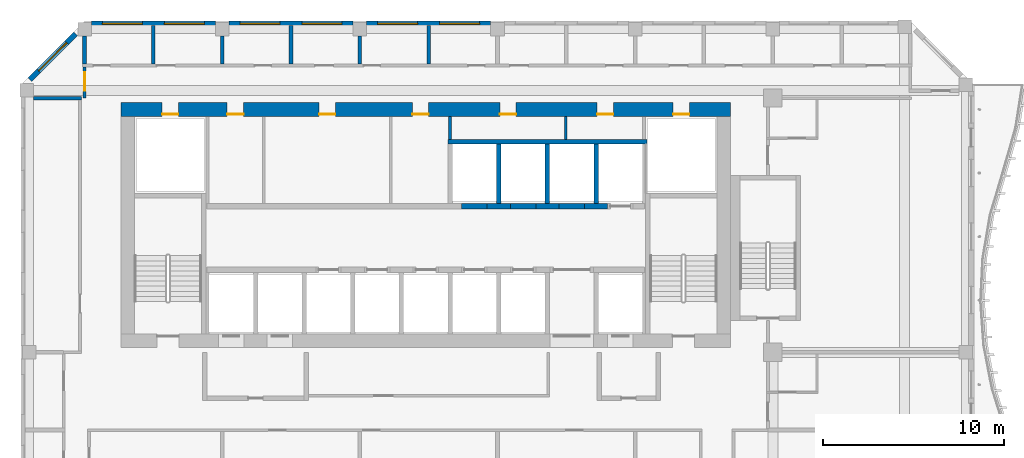
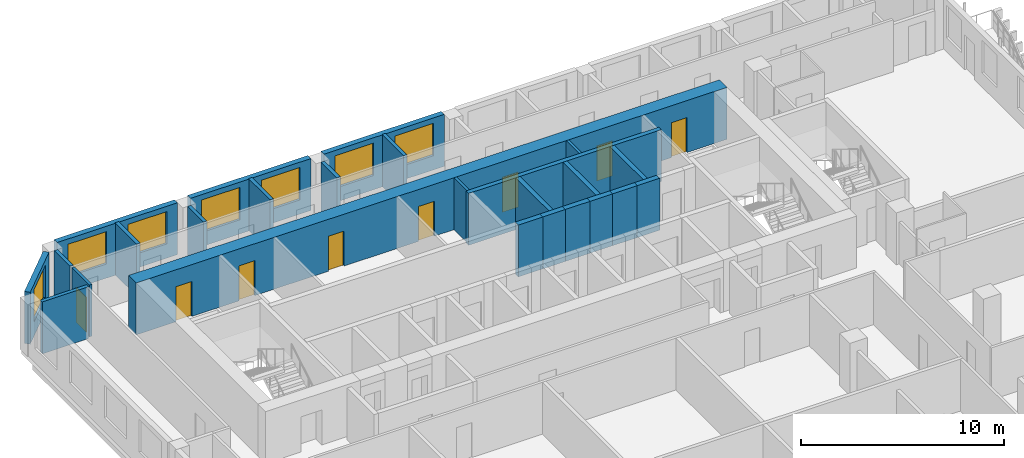
# One storey, part 8 of 22: 25 walls, 8 doors, 7 windows, 15 openings.
"""IFC4 building model written with IfcOpenShell, lengths in metres."""

from ifc_helpers import new_model, si_unit, direction, frame, frame_2d, origin, place, context, subcontext, project, spatial, rectangle, extrude, source, transform, mapped, material, layer, layer_set, type_object, element, fill, save


model = new_model("IFC4")

# Units and contexts
model_context = context("Model", 3, precision=1e-05, world=origin(), true_north=direction((0.0, 1.0)))
body_context = subcontext(model_context, "Body", "Model", "MODEL_VIEW")
ifc_project = project(units=[si_unit("LENGTHUNIT", "METRE"), si_unit("AREAUNIT", "SQUARE_METRE"), si_unit("VOLUMEUNIT", "CUBIC_METRE"), si_unit("PLANEANGLEUNIT", "RADIAN"), si_unit("MASSUNIT", "GRAM", prefix="KILO")], contexts=[model_context])

# Site, building, storey
site_placement = place(None, origin())
site = spatial("IfcSite", under=ifc_project, at=site_placement, CompositionType="ELEMENT")
building_placement = place(site_placement, origin())
building = spatial("IfcBuilding", under=site, at=building_placement, Name="Kilnfold Tower and Market Hall", CompositionType="ELEMENT")
storey_placement = place(building_placement, frame((0.0, 0.0, 206.699951171875)))
storey = spatial("IfcBuildingStorey", under=building, at=storey_placement, Name="L50", CompositionType="ELEMENT", Elevation=206.699951171875)

# Wall, opening, door
ifc_material_1 = material(Name="Gypsum board on steel studs", Category="steel")
ifc_layer_1 = layer(ifc_material_1, 0.14990234375)
ifc_layer_set_1 = layer_set([ifc_layer_1], Name="Gypsum board on steel studs")
wall_type_1 = type_object("IfcWallType", Name="WALL CORRIDOR 150", PredefinedType="PARTITIONING", material=ifc_layer_set_1)
wall_1_placement = place(storey_placement, frame((-17.75, 23.72509765625, 0.0), z_axis=(0.0, 0.0, 1.0), x_axis=(0.0, -1.0, 0.0)))
wall_1 = element("IfcWall", 1, at=wall_1_placement, inside=storey, type_object=wall_type_1, Name="Partition LY30.17", PredefinedType="PARTITIONING", context=body_context, shape_type="SweptSolid", body=[
    extrude(rectangle(XDim=1.72509765625, YDim=0.14990234375, at=frame_2d((0.862548828125, 0.0))), origin(), (0.0, 0.0, 1.0), 3.1201171875),
])
opening_1_placement = place(wall_1_placement, frame((0.30810546875, 0.0, 0.0)))
opening_1 = element("IfcOpeningElement", 2, at=opening_1_placement, cuts=wall_1, Name="Opening D4", PredefinedType="OPENING", context=body_context, shape_type="SweptSolid", body=[
    extrude(rectangle(XDim=1.0, YDim=2.10009765625, at=frame_2d((0.5, 1.050048828125))), frame((0.0, 0.0849609375, 0.0), z_axis=(0.0, -1.0, 0.0), x_axis=(1.0, 0.0, 0.0)), (0.0, 0.0, 1.0), 0.169921875),
])
ifc_material_2 = material(Name="Timber veneer door leaf in steel frame", Category="steel")
door_type_1 = type_object("IfcDoorType", Name="DOOR SERVICE 1000 X2100", OperationType="NOTDEFINED", PredefinedType="DOOR", material=ifc_material_2)
door_1_placement = place(opening_1_placement, origin())
door_1 = element("IfcDoor", 3, at=door_1_placement, inside=storey, type_object=door_type_1, Name="Door D4", OperationType="SINGLE_SWING_RIGHT", OverallHeight=2.10009765625, OverallWidth=1.0, PredefinedType="DOOR", context=body_context, shape_type="SweptSolid", body=[
    extrude(rectangle(XDim=1.0, YDim=2.10009765625, at=frame_2d((0.5, 1.050048828125))), frame((0.0, 0.02490234375, 0.0), z_axis=(0.0, -1.0, 0.0), x_axis=(1.0, 0.0, 0.0)), (0.0, 0.0, 1.0), 0.050048828125),
])
fill(opening_1, door_1)

# Walls
ifc_material_3 = material(Name="Gypsum board on steel studs", Category="steel")
ifc_layer_2 = layer(ifc_material_3, 0.199951171875)
ifc_layer_set_2 = layer_set([ifc_layer_2], Name="Gypsum board on steel studs")
wall_type_2 = type_object("IfcWallType", Name="WALL PARTY 200", PredefinedType="PARTITIONING", material=ifc_layer_set_2)
wall_2_placement = place(storey_placement, frame((-17.927001953125, 22.0, 0.0), z_axis=(0.0, 0.0, 1.0), x_axis=(-1.0, 0.0, 0.0)))
element("IfcWall", 4, at=wall_2_placement, inside=storey, type_object=wall_type_2, Name="Partition LY30.82", PredefinedType="PARTITIONING", context=body_context, shape_type="SweptSolid", body=[
    extrude(rectangle(XDim=2.6298828125, YDim=0.199951171875, at=frame_2d((1.31494140625, 0.0))), origin(), (0.0, 0.0, 1.0), 3.1201171875),
])
wall_3_placement = place(storey_placement, frame((-17.75, 23.876953125, 0.0), z_axis=(0.0, 0.0, 1.0), x_axis=(0.0, 1.0, 0.0)))
element("IfcWall", 5, at=wall_3_placement, inside=storey, type_object=wall_type_2, Name="Partition LY30.88", PredefinedType="PARTITIONING", context=body_context, shape_type="SweptSolid", body=[
    extrude(rectangle(XDim=1.548095703125, YDim=0.199951171875, at=frame_2d((0.77392578125, 0.0))), origin(), (0.0, 0.0, 1.0), 3.1201171875),
])
wall_4_placement = place(storey_placement, frame((-13.958984375, 23.876953125, 0.0), z_axis=(0.0, 0.0, 1.0), x_axis=(0.0, 1.0, 0.0)))
element("IfcWall", 6, at=wall_4_placement, inside=storey, type_object=wall_type_2, Name="Partition LY30.99", PredefinedType="PARTITIONING", context=body_context, shape_type="SweptSolid", body=[
    extrude(rectangle(XDim=2.123046875, YDim=0.199951171875, at=frame_2d((1.0615234375, 0.0))), origin(), (0.0, 0.0, 1.0), 3.1201171875),
])
wall_5_placement = place(storey_placement, frame((-10.1669921875, 23.876953125, 0.0), z_axis=(0.0, 0.0, 1.0), x_axis=(0.0, 1.0, 0.0)))
element("IfcWall", 7, at=wall_5_placement, inside=storey, type_object=wall_type_2, Name="Partition LY30.100", PredefinedType="PARTITIONING", context=body_context, shape_type="SweptSolid", body=[
    extrude(rectangle(XDim=1.548095703125, YDim=0.199951171875, at=frame_2d((0.77392578125, 0.0))), origin(), (0.0, 0.0, 1.0), 3.1201171875),
])
wall_6_placement = place(storey_placement, frame((-6.375, 23.876953125, 0.0), z_axis=(0.0, 0.0, 1.0), x_axis=(0.0, 1.0, 0.0)))
element("IfcWall", 8, at=wall_6_placement, inside=storey, type_object=wall_type_2, Name="Partition LY30.101", PredefinedType="PARTITIONING", context=body_context, shape_type="SweptSolid", body=[
    extrude(rectangle(XDim=2.123046875, YDim=0.199951171875, at=frame_2d((1.0615234375, 0.0))), origin(), (0.0, 0.0, 1.0), 3.1201171875),
])
wall_7_placement = place(storey_placement, frame((-2.5830078125, 23.876953125, 0.0), z_axis=(0.0, 0.0, 1.0), x_axis=(0.0, 1.0, 0.0)))
element("IfcWall", 9, at=wall_7_placement, inside=storey, type_object=wall_type_2, Name="Partition LY30.102", PredefinedType="PARTITIONING", context=body_context, shape_type="SweptSolid", body=[
    extrude(rectangle(XDim=1.548095703125, YDim=0.199951171875, at=frame_2d((0.77392578125, 0.0))), origin(), (0.0, 0.0, 1.0), 3.1201171875),
])
wall_8_placement = place(storey_placement, frame((1.2080078125, 23.876953125, 0.0), z_axis=(0.0, 0.0, 1.0), x_axis=(0.0, 1.0, 0.0)))
element("IfcWall", 10, at=wall_8_placement, inside=storey, type_object=wall_type_2, Name="Partition LY30.103", PredefinedType="PARTITIONING", context=body_context, shape_type="SweptSolid", body=[
    extrude(rectangle(XDim=2.123046875, YDim=0.199951171875, at=frame_2d((1.0615234375, 0.0))), origin(), (0.0, 0.0, 1.0), 3.1201171875),
])
ifc_material_4 = material(Name="Concrete C60", Category="concrete")
ifc_layer_3 = layer(ifc_material_4, 0.300048828125)
ifc_layer_set_3 = layer_set([ifc_layer_3], Name="Concrete C60")
wall_type_3 = type_object("IfcWallType", Name="CORE WALL 300 C60", PredefinedType="SHEAR", material=ifc_layer_set_3)
shared_shape_1 = source(origin(), body_context, "Body", "SweptSolid", [
    extrude(rectangle(XDim=1.280029296875, YDim=0.300048828125, at=frame_2d((0.64013671875, 0.0))), origin(), (0.0, 0.0, 1.0), 3.1201171875),
])
for number, where, z_axis, x_axis, name in (
    (11, (4.429931640625, 16.050048828125, 0.0), (0.0, 0.0, 1.0), (1.0, 0.0, 0.0), "Core spine wall"),
    (12, (9.7900390625, 16.050048828125, 0.0), (0.0, 0.0, 1.0), (1.0, 0.0, 0.0), "Core spine wall"),
):
    element("IfcWall", number, at=place(storey_placement, frame(where, z_axis=z_axis, x_axis=x_axis)), inside=storey, type_object=wall_type_3, Name=name, PredefinedType="SHEAR", context=body_context, shape_type="MappedRepresentation", body=[
        mapped(shared_shape_1, transform((0.0, 0.0, 0.0))),
    ])
shared_shape_2 = source(origin(), body_context, "Body", "SweptSolid", [
    extrude(rectangle(XDim=1.27978515625, YDim=0.300048828125, at=frame_2d((0.639892578125, 0.0))), origin(), (0.0, 0.0, 1.0), 3.1201171875),
])
wall_9_placement = place(storey_placement, frame((7.110107421875, 16.050048828125, 0.0), z_axis=(0.0, 0.0, 1.0), x_axis=(1.0, 0.0, 0.0)))
element("IfcWall", 13, at=wall_9_placement, inside=storey, type_object=wall_type_3, Name="Core spine wall", PredefinedType="SHEAR", context=body_context, shape_type="MappedRepresentation", body=[
    mapped(shared_shape_2, transform((0.0, 0.0, 0.0))),
])

# Wall, openings, doors
ifc_material_5 = material(Name="Concrete C60", Category="concrete")
ifc_layer_4 = layer(ifc_material_5, 0.75)
ifc_layer_set_4 = layer_set([ifc_layer_4], Name="Concrete C60")
wall_type_4 = type_object("IfcWallType", Name="CORE WALL 750 C60", PredefinedType="SHEAR", material=ifc_layer_set_4)
shared_shape_3 = source(origin(), body_context, "Body", "SweptSolid", [
    extrude(rectangle(XDim=33.60009765625, YDim=0.75, at=frame_2d((16.800048828125, 0.0))), origin(), (0.0, 0.0, 1.0), 3.1201171875),
])
wall_10_placement = place(storey_placement, frame((-15.75, 21.375, 0.0), z_axis=(0.0, 0.0, 1.0), x_axis=(1.0, 0.0, 0.0)))
wall_10 = element("IfcWall", 14, at=wall_10_placement, inside=storey, type_object=wall_type_4, Name="Core outer wall north", PredefinedType="SHEAR", context=body_context, shape_type="MappedRepresentation", body=[
    mapped(shared_shape_3, transform((0.0, 0.0, 0.0))),
])
opening_2_placement = place(wall_10_placement, frame((5.85791015625, 0.0, 0.0)))
opening_2 = element("IfcOpeningElement", 15, at=opening_2_placement, cuts=wall_10, Name="Opening KD1", PredefinedType="OPENING", context=body_context, shape_type="SweptSolid", body=[
    extrude(rectangle(XDim=0.89990234375, YDim=2.10009765625, at=frame_2d((0.449951171875, 1.050048828125))), frame((0.0, 0.385009765625, 0.0), z_axis=(0.0, -1.0, 0.0), x_axis=(1.0, 0.0, 0.0)), (0.0, 0.0, 1.0), 0.77001953125),
])
opening_3_placement = place(wall_10_placement, frame((10.923095703125, 0.0, 0.0)))
opening_3 = element("IfcOpeningElement", 16, at=opening_3_placement, cuts=wall_10, Name="Opening KD1", PredefinedType="OPENING", context=body_context, shape_type="SweptSolid", body=[
    extrude(rectangle(XDim=0.89990234375, YDim=2.10009765625, at=frame_2d((0.449951171875, 1.050048828125))), frame((0.0, 0.385009765625, 0.0), z_axis=(0.0, -1.0, 0.0), x_axis=(1.0, 0.0, 0.0)), (0.0, 0.0, 1.0), 0.77001953125),
])
opening_4_placement = place(wall_10_placement, frame((16.05517578125, 0.0, 0.0)))
opening_4 = element("IfcOpeningElement", 17, at=opening_4_placement, cuts=wall_10, Name="Opening KD1", PredefinedType="OPENING", context=body_context, shape_type="SweptSolid", body=[
    extrude(rectangle(XDim=0.89990234375, YDim=2.10009765625, at=frame_2d((0.449951171875, 1.050048828125))), frame((0.0, 0.385009765625, 0.0), z_axis=(0.0, -1.0, 0.0), x_axis=(1.0, 0.0, 0.0)), (0.0, 0.0, 1.0), 0.77001953125),
])
opening_5_placement = place(wall_10_placement, frame((20.879150390625, 0.0, 0.0)))
opening_5 = element("IfcOpeningElement", 18, at=opening_5_placement, cuts=wall_10, Name="Opening KD1", PredefinedType="OPENING", context=body_context, shape_type="SweptSolid", body=[
    extrude(rectangle(XDim=0.89990234375, YDim=2.10009765625, at=frame_2d((0.449951171875, 1.050048828125))), frame((0.0, 0.385009765625, 0.0), z_axis=(0.0, -1.0, 0.0), x_axis=(1.0, 0.0, 0.0)), (0.0, 0.0, 1.0), 0.77001953125),
])
opening_6_placement = place(wall_10_placement, frame((26.2392578125, 0.0, 0.0)))
opening_6 = element("IfcOpeningElement", 19, at=opening_6_placement, cuts=wall_10, Name="Opening KD1", PredefinedType="OPENING", context=body_context, shape_type="SweptSolid", body=[
    extrude(rectangle(XDim=0.89990234375, YDim=2.10009765625, at=frame_2d((0.449951171875, 1.050048828125))), frame((0.0, 0.385009765625, 0.0), z_axis=(0.0, -1.0, 0.0), x_axis=(1.0, 0.0, 0.0)), (0.0, 0.0, 1.0), 0.77001953125),
])
opening_7_placement = place(wall_10_placement, frame((2.27490234375, 0.0, 0.0)))
opening_7 = element("IfcOpeningElement", 20, at=opening_7_placement, cuts=wall_10, Name="Opening KD1", PredefinedType="OPENING", context=body_context, shape_type="SweptSolid", body=[
    extrude(rectangle(XDim=0.89990234375, YDim=2.10009765625, at=frame_2d((0.449951171875, 1.050048828125))), frame((0.0, 0.385009765625, 0.0), z_axis=(0.0, -1.0, 0.0), x_axis=(1.0, 0.0, 0.0)), (0.0, 0.0, 1.0), 0.77001953125),
])
opening_8_placement = place(wall_10_placement, frame((30.425048828125, 0.0, 0.0)))
opening_8 = element("IfcOpeningElement", 21, at=opening_8_placement, cuts=wall_10, Name="Opening KD1", PredefinedType="OPENING", context=body_context, shape_type="SweptSolid", body=[
    extrude(rectangle(XDim=0.89990234375, YDim=2.10009765625, at=frame_2d((0.449951171875, 1.050048828125))), frame((0.0, 0.385009765625, 0.0), z_axis=(0.0, -1.0, 0.0), x_axis=(1.0, 0.0, 0.0)), (0.0, 0.0, 1.0), 0.77001953125),
])
ifc_material_6 = material(Name="Steel door set with fire-resisting leaf", Category="steel")
door_type_2 = type_object("IfcDoorType", Name="SERVICE DOOR 900X2100", OperationType="NOTDEFINED", PredefinedType="DOOR", material=ifc_material_6)
door_2_placement = place(opening_2_placement, origin())
door_2 = element("IfcDoor", 22, at=door_2_placement, inside=storey, type_object=door_type_2, Name="Core service door", OperationType="SINGLE_SWING_RIGHT", OverallHeight=2.10009765625, OverallWidth=0.89990234375, PredefinedType="DOOR", context=body_context, shape_type="SweptSolid", body=[
    extrude(rectangle(XDim=0.89990234375, YDim=2.10009765625, at=frame_2d((0.449951171875, 1.050048828125))), frame((0.0, -0.22998046875, 0.0), z_axis=(0.0, -1.0, 0.0), x_axis=(1.0, 0.0, 0.0)), (0.0, 0.0, 1.0), 0.050048828125),
])
fill(opening_2, door_2)
door_3_placement = place(opening_3_placement, origin())
door_3 = element("IfcDoor", 23, at=door_3_placement, inside=storey, type_object=door_type_2, Name="Core service door", OperationType="SINGLE_SWING_LEFT", OverallHeight=2.10009765625, OverallWidth=0.89990234375, PredefinedType="DOOR", context=body_context, shape_type="SweptSolid", body=[
    extrude(rectangle(XDim=0.89990234375, YDim=2.10009765625, at=frame_2d((0.449951171875, 1.050048828125))), frame((0.0, -0.22998046875, 0.0), z_axis=(0.0, -1.0, 0.0), x_axis=(1.0, 0.0, 0.0)), (0.0, 0.0, 1.0), 0.050048828125),
])
fill(opening_3, door_3)
door_4_placement = place(opening_4_placement, origin())
door_4 = element("IfcDoor", 24, at=door_4_placement, inside=storey, type_object=door_type_2, Name="Core service door", OperationType="SINGLE_SWING_RIGHT", OverallHeight=2.10009765625, OverallWidth=0.89990234375, PredefinedType="DOOR", context=body_context, shape_type="SweptSolid", body=[
    extrude(rectangle(XDim=0.89990234375, YDim=2.10009765625, at=frame_2d((0.449951171875, 1.050048828125))), frame((0.0, -0.22998046875, 0.0), z_axis=(0.0, -1.0, 0.0), x_axis=(1.0, 0.0, 0.0)), (0.0, 0.0, 1.0), 0.050048828125),
])
fill(opening_4, door_4)
door_5_placement = place(opening_5_placement, origin())
door_5 = element("IfcDoor", 25, at=door_5_placement, inside=storey, type_object=door_type_2, Name="Core service door", OperationType="SINGLE_SWING_LEFT", OverallHeight=2.10009765625, OverallWidth=0.89990234375, PredefinedType="DOOR", context=body_context, shape_type="SweptSolid", body=[
    extrude(rectangle(XDim=0.89990234375, YDim=2.10009765625, at=frame_2d((0.449951171875, 1.050048828125))), frame((0.0, -0.22998046875, 0.0), z_axis=(0.0, -1.0, 0.0), x_axis=(1.0, 0.0, 0.0)), (0.0, 0.0, 1.0), 0.050048828125),
])
fill(opening_5, door_5)
door_6_placement = place(opening_6_placement, origin())
door_6 = element("IfcDoor", 26, at=door_6_placement, inside=storey, type_object=door_type_2, Name="Core service door", OperationType="SINGLE_SWING_RIGHT", OverallHeight=2.10009765625, OverallWidth=0.89990234375, PredefinedType="DOOR", context=body_context, shape_type="SweptSolid", body=[
    extrude(rectangle(XDim=0.89990234375, YDim=2.10009765625, at=frame_2d((0.449951171875, 1.050048828125))), frame((0.0, -0.22998046875, 0.0), z_axis=(0.0, -1.0, 0.0), x_axis=(1.0, 0.0, 0.0)), (0.0, 0.0, 1.0), 0.050048828125),
])
fill(opening_6, door_6)
door_7_placement = place(opening_7_placement, origin())
door_7 = element("IfcDoor", 27, at=door_7_placement, inside=storey, type_object=door_type_2, Name="Electrical riser access door", OperationType="SINGLE_SWING_LEFT", OverallHeight=2.10009765625, OverallWidth=0.89990234375, PredefinedType="DOOR", context=body_context, shape_type="SweptSolid", body=[
    extrude(rectangle(XDim=0.89990234375, YDim=2.10009765625, at=frame_2d((0.449951171875, 1.050048828125))), frame((0.0, -0.22998046875, 0.0), z_axis=(0.0, -1.0, 0.0), x_axis=(1.0, 0.0, 0.0)), (0.0, 0.0, 1.0), 0.050048828125),
])
fill(opening_7, door_7)
door_8_placement = place(opening_8_placement, origin())
door_8 = element("IfcDoor", 28, at=door_8_placement, inside=storey, type_object=door_type_2, Name="Mechanical riser access door", OperationType="SINGLE_SWING_RIGHT", OverallHeight=2.10009765625, OverallWidth=0.89990234375, PredefinedType="DOOR", context=body_context, shape_type="SweptSolid", body=[
    extrude(rectangle(XDim=0.89990234375, YDim=2.10009765625, at=frame_2d((0.449951171875, 1.050048828125))), frame((0.0, -0.22998046875, 0.0), z_axis=(0.0, -1.0, 0.0), x_axis=(1.0, 0.0, 0.0)), (0.0, 0.0, 1.0), 0.050048828125),
])
fill(opening_8, door_8)

# Wall, openings, windows
ifc_material_7 = material(Name="Precast concrete C50/60", Category="concrete")
ifc_layer_5 = layer(ifc_material_7, 0.300048828125)
ifc_layer_set_5 = layer_set([ifc_layer_5], Name="Precast concrete C50/60")
wall_type_5 = type_object("IfcWallType", Name="PRECAST WALL 300", PredefinedType="SOLIDWALL", material=ifc_layer_set_5)
shared_shape_4 = source(origin(), body_context, "Body", "SweptSolid", [
    extrude(rectangle(XDim=6.833251953125, YDim=0.300048828125, at=frame_2d((3.41650390625, 0.0))), origin(), (0.0, 0.0, 1.0), 3.1201171875),
])
wall_11_placement = place(storey_placement, frame((4.625, 26.10009765625, 0.0), z_axis=(0.0, 0.0, 1.0), x_axis=(-1.0, 0.0, 0.0)))
wall_11 = element("IfcWall", 29, at=wall_11_placement, inside=storey, type_object=wall_type_5, Name="External wall L50 N", PredefinedType="SOLIDWALL", context=body_context, shape_type="MappedRepresentation", body=[
    mapped(shared_shape_4, transform((0.0, 0.0, 0.0))),
])
opening_9_placement = place(wall_11_placement, frame((0.6083984375, 0.0, 0.85009765625)))
opening_9 = element("IfcOpeningElement", 30, at=opening_9_placement, cuts=wall_11, Name="Opening W2", PredefinedType="OPENING", context=body_context, shape_type="SweptSolid", body=[
    extrude(rectangle(XDim=2.199951171875, YDim=1.949951171875, at=frame_2d((1.10009765625, 0.97509765625))), frame((0.0, 0.16015625, 0.0), z_axis=(0.0, -1.0, 0.0), x_axis=(1.0, 0.0, 0.0)), (0.0, 0.0, 1.0), 0.320068359375),
])
opening_10_placement = place(wall_11_placement, frame((4.02490234375, 0.0, 0.85009765625)))
opening_10 = element("IfcOpeningElement", 31, at=opening_10_placement, cuts=wall_11, Name="Opening W2", PredefinedType="OPENING", context=body_context, shape_type="SweptSolid", body=[
    extrude(rectangle(XDim=2.199951171875, YDim=1.949951171875, at=frame_2d((1.10009765625, 0.97509765625))), frame((0.0, 0.16015625, 0.0), z_axis=(0.0, -1.0, 0.0), x_axis=(1.0, 0.0, 0.0)), (0.0, 0.0, 1.0), 0.320068359375),
])
ifc_material_8 = material(Name="Aluminium frame and double glazing", Category="aluminium")
window_type = type_object("IfcWindowType", Name="WINDOW W2 2200X1950", PartitioningType="SINGLE_PANEL", PredefinedType="WINDOW", material=ifc_material_8)
window_1_placement = place(opening_9_placement, origin())
window_1 = element("IfcWindow", 32, at=window_1_placement, inside=storey, type_object=window_type, Name="Window W2 L50 N-1", OverallHeight=1.949951171875, OverallWidth=2.199951171875, PartitioningType="SINGLE_PANEL", PredefinedType="WINDOW", context=body_context, shape_type="SweptSolid", body=[
    extrude(rectangle(XDim=2.199951171875, YDim=1.949951171875, at=frame_2d((1.10009765625, 0.97509765625))), frame((0.0, 0.030029296875, 0.0), z_axis=(0.0, -1.0, 0.0), x_axis=(1.0, 0.0, 0.0)), (0.0, 0.0, 1.0), 0.06005859375),
])
fill(opening_9, window_1)
window_2_placement = place(opening_10_placement, origin())
window_2 = element("IfcWindow", 33, at=window_2_placement, inside=storey, type_object=window_type, Name="Window W2 L50 N-2", OverallHeight=1.949951171875, OverallWidth=2.199951171875, PartitioningType="SINGLE_PANEL", PredefinedType="WINDOW", context=body_context, shape_type="SweptSolid", body=[
    extrude(rectangle(XDim=2.199951171875, YDim=1.949951171875, at=frame_2d((1.10009765625, 0.97509765625))), frame((0.0, 0.030029296875, 0.0), z_axis=(0.0, -1.0, 0.0), x_axis=(1.0, 0.0, 0.0)), (0.0, 0.0, 1.0), 0.06005859375),
])
fill(opening_10, window_2)

wall_12_placement = place(storey_placement, frame((-10.541748046875, 26.10009765625, 0.0), z_axis=(0.0, 0.0, 1.0), x_axis=(-1.0, 0.0, 0.0)))
wall_12 = element("IfcWall", 34, at=wall_12_placement, inside=storey, type_object=wall_type_5, Name="External wall L50 N", PredefinedType="SOLIDWALL", context=body_context, shape_type="MappedRepresentation", body=[
    mapped(shared_shape_4, transform((0.0, 0.0, 0.0))),
])
opening_11_placement = place(wall_12_placement, frame((0.6083984375, 0.0, 0.85009765625)))
opening_11 = element("IfcOpeningElement", 35, at=opening_11_placement, cuts=wall_12, Name="Opening W2", PredefinedType="OPENING", context=body_context, shape_type="SweptSolid", body=[
    extrude(rectangle(XDim=2.199951171875, YDim=1.949951171875, at=frame_2d((1.10009765625, 0.97509765625))), frame((0.0, 0.16015625, 0.0), z_axis=(0.0, -1.0, 0.0), x_axis=(1.0, 0.0, 0.0)), (0.0, 0.0, 1.0), 0.320068359375),
])
opening_12_placement = place(wall_12_placement, frame((4.02490234375, 0.0, 0.85009765625)))
opening_12 = element("IfcOpeningElement", 36, at=opening_12_placement, cuts=wall_12, Name="Opening W2", PredefinedType="OPENING", context=body_context, shape_type="SweptSolid", body=[
    extrude(rectangle(XDim=2.199951171875, YDim=1.949951171875, at=frame_2d((1.10009765625, 0.97509765625))), frame((0.0, 0.16015625, 0.0), z_axis=(0.0, -1.0, 0.0), x_axis=(1.0, 0.0, 0.0)), (0.0, 0.0, 1.0), 0.320068359375),
])
window_3_placement = place(opening_11_placement, origin())
window_3 = element("IfcWindow", 37, at=window_3_placement, inside=storey, type_object=window_type, Name="Window W2 L50 N-1", OverallHeight=1.949951171875, OverallWidth=2.199951171875, PartitioningType="SINGLE_PANEL", PredefinedType="WINDOW", context=body_context, shape_type="SweptSolid", body=[
    extrude(rectangle(XDim=2.199951171875, YDim=1.949951171875, at=frame_2d((1.10009765625, 0.97509765625))), frame((0.0, 0.030029296875, 0.0), z_axis=(0.0, -1.0, 0.0), x_axis=(1.0, 0.0, 0.0)), (0.0, 0.0, 1.0), 0.06005859375),
])
fill(opening_11, window_3)
window_4_placement = place(opening_12_placement, origin())
window_4 = element("IfcWindow", 38, at=window_4_placement, inside=storey, type_object=window_type, Name="Window W2 L50 N-2", OverallHeight=1.949951171875, OverallWidth=2.199951171875, PartitioningType="SINGLE_PANEL", PredefinedType="WINDOW", context=body_context, shape_type="SweptSolid", body=[
    extrude(rectangle(XDim=2.199951171875, YDim=1.949951171875, at=frame_2d((1.10009765625, 0.97509765625))), frame((0.0, 0.030029296875, 0.0), z_axis=(0.0, -1.0, 0.0), x_axis=(1.0, 0.0, 0.0)), (0.0, 0.0, 1.0), 0.06005859375),
])
fill(opening_12, window_4)

shared_shape_5 = source(origin(), body_context, "Body", "SweptSolid", [
    extrude(rectangle(XDim=6.83349609375, YDim=0.300048828125, at=frame_2d((3.416748046875, 0.0))), origin(), (0.0, 0.0, 1.0), 3.1201171875),
])
wall_13_placement = place(storey_placement, frame((-2.958251953125, 26.10009765625, 0.0), z_axis=(0.0, 0.0, 1.0), x_axis=(-1.0, 0.0, 0.0)))
wall_13 = element("IfcWall", 39, at=wall_13_placement, inside=storey, type_object=wall_type_5, Name="External wall L50 N", PredefinedType="SOLIDWALL", context=body_context, shape_type="MappedRepresentation", body=[
    mapped(shared_shape_5, transform((0.0, 0.0, 0.0))),
])
opening_13_placement = place(wall_13_placement, frame((0.6083984375, 0.0, 0.85009765625)))
opening_13 = element("IfcOpeningElement", 40, at=opening_13_placement, cuts=wall_13, Name="Opening W2", PredefinedType="OPENING", context=body_context, shape_type="SweptSolid", body=[
    extrude(rectangle(XDim=2.199951171875, YDim=1.949951171875, at=frame_2d((1.10009765625, 0.97509765625))), frame((0.0, 0.16015625, 0.0), z_axis=(0.0, -1.0, 0.0), x_axis=(1.0, 0.0, 0.0)), (0.0, 0.0, 1.0), 0.320068359375),
])
opening_14_placement = place(wall_13_placement, frame((4.02490234375, 0.0, 0.85009765625)))
opening_14 = element("IfcOpeningElement", 41, at=opening_14_placement, cuts=wall_13, Name="Opening W2", PredefinedType="OPENING", context=body_context, shape_type="SweptSolid", body=[
    extrude(rectangle(XDim=2.199951171875, YDim=1.949951171875, at=frame_2d((1.10009765625, 0.97509765625))), frame((0.0, 0.16015625, 0.0), z_axis=(0.0, -1.0, 0.0), x_axis=(1.0, 0.0, 0.0)), (0.0, 0.0, 1.0), 0.320068359375),
])
window_5_placement = place(opening_13_placement, origin())
window_5 = element("IfcWindow", 42, at=window_5_placement, inside=storey, type_object=window_type, Name="Window W2 L50 N-1", OverallHeight=1.949951171875, OverallWidth=2.199951171875, PartitioningType="SINGLE_PANEL", PredefinedType="WINDOW", context=body_context, shape_type="SweptSolid", body=[
    extrude(rectangle(XDim=2.199951171875, YDim=1.949951171875, at=frame_2d((1.10009765625, 0.97509765625))), frame((0.0, 0.030029296875, 0.0), z_axis=(0.0, -1.0, 0.0), x_axis=(1.0, 0.0, 0.0)), (0.0, 0.0, 1.0), 0.06005859375),
])
fill(opening_13, window_5)
window_6_placement = place(opening_14_placement, origin())
window_6 = element("IfcWindow", 43, at=window_6_placement, inside=storey, type_object=window_type, Name="Window W2 L50 N-2", OverallHeight=1.949951171875, OverallWidth=2.199951171875, PartitioningType="SINGLE_PANEL", PredefinedType="WINDOW", context=body_context, shape_type="SweptSolid", body=[
    extrude(rectangle(XDim=2.199951171875, YDim=1.949951171875, at=frame_2d((1.10009765625, 0.97509765625))), frame((0.0, 0.030029296875, 0.0), z_axis=(0.0, -1.0, 0.0), x_axis=(1.0, 0.0, 0.0)), (0.0, 0.0, 1.0), 0.06005859375),
])
fill(opening_14, window_6)

# Wall, opening, window
shared_shape_6 = source(origin(), body_context, "Body", "SweptSolid", [
    extrude(rectangle(XDim=3.571044921875, YDim=0.300048828125, at=frame_2d((1.78564453125, 0.0))), origin(), (0.0, 0.0, 1.0), 3.1201171875),
])
wall_14_placement = place(storey_placement, frame((-18.243896484375, 25.5439453125, 0.0), z_axis=(0.0, 0.0, 1.0), x_axis=(-0.707072595841, -0.707140964879, 0.0)))
wall_14 = element("IfcWall", 44, at=wall_14_placement, inside=storey, type_object=wall_type_5, Name="External wall L50 NW", PredefinedType="SOLIDWALL", context=body_context, shape_type="MappedRepresentation", body=[
    mapped(shared_shape_6, transform((0.0, 0.0, 0.0))),
])
opening_15_placement = place(wall_14_placement, frame((0.685546875, 0.0, 0.85009765625)))
opening_15 = element("IfcOpeningElement", 45, at=opening_15_placement, cuts=wall_14, Name="Opening W2", PredefinedType="OPENING", context=body_context, shape_type="SweptSolid", body=[
    extrude(rectangle(XDim=2.199951171875, YDim=1.949951171875, at=frame_2d((1.10009765625, 0.97509765625))), frame((0.0, 0.16015625, 0.0), z_axis=(0.0, -1.0, 0.0), x_axis=(1.0, 0.0, 0.0)), (0.0, 0.0, 1.0), 0.320068359375),
])
window_7_placement = place(opening_15_placement, origin())
window_7 = element("IfcWindow", 46, at=window_7_placement, inside=storey, type_object=window_type, Name="Window W2 L50 NW-1", OverallHeight=1.949951171875, OverallWidth=2.199951171875, PartitioningType="SINGLE_PANEL", PredefinedType="WINDOW", context=body_context, shape_type="SweptSolid", body=[
    extrude(rectangle(XDim=2.199951171875, YDim=1.949951171875, at=frame_2d((1.10009765625, 0.97509765625))), frame((0.0, 0.030029296875, 0.0), z_axis=(0.0, -1.0, 0.0), x_axis=(1.0, 0.0, 0.0)), (0.0, 0.0, 1.0), 0.06005859375),
])
fill(opening_15, window_7)

# Walls
ifc_material_9 = material(Name="Gypsum shaft wall system")
ifc_layer_6 = layer(ifc_material_9, 0.300048828125)
ifc_layer_set_6 = layer_set([ifc_layer_6], Name="Gypsum shaft wall system")
wall_type_6 = type_object("IfcWallType", Name="SHAFT WALL 300", PredefinedType="PARTITIONING", material=ifc_layer_set_6)
shared_shape_7 = source(origin(), body_context, "Body", "SweptSolid", [
    extrude(rectangle(XDim=1.39990234375, YDim=0.300048828125, at=frame_2d((0.699951171875, 0.0))), origin(), (0.0, 0.0, 1.0), 3.1201171875),
])
wall_15_placement = place(storey_placement, frame((3.030029296875, 16.050048828125, 0.0), z_axis=(0.0, 0.0, 1.0), x_axis=(1.0, 0.0, 0.0)))
element("IfcWall", 47, at=wall_15_placement, inside=storey, type_object=wall_type_6, Name="Lift shaft front wall", PredefinedType="PARTITIONING", context=body_context, shape_type="MappedRepresentation", body=[
    mapped(shared_shape_7, transform((0.0, 0.0, 0.0))),
])
shared_shape_8 = source(origin(), body_context, "Body", "SweptSolid", [
    extrude(rectangle(XDim=1.400146484375, YDim=0.300048828125, at=frame_2d((0.7001953125, 0.0))), origin(), (0.0, 0.0, 1.0), 3.1201171875),
])
for number, where, z_axis, x_axis, name in (
    (48, (5.7099609375, 16.050048828125, 0.0), (0.0, 0.0, 1.0), (1.0, 0.0, 0.0), "Lift shaft front wall"),
    (49, (8.389892578125, 16.050048828125, 0.0), (0.0, 0.0, 1.0), (1.0, 0.0, 0.0), "Lift shaft front wall"),
):
    element("IfcWall", number, at=place(storey_placement, frame(where, z_axis=z_axis, x_axis=x_axis)), inside=storey, type_object=wall_type_6, Name=name, PredefinedType="PARTITIONING", context=body_context, shape_type="MappedRepresentation", body=[
        mapped(shared_shape_8, transform((0.0, 0.0, 0.0))),
    ])
ifc_material_10 = material(Name="Gypsum shaft wall system")
ifc_layer_7 = layer(ifc_material_10, 0.25)
ifc_layer_set_7 = layer_set([ifc_layer_7], Name="Gypsum shaft wall system")
wall_type_7 = type_object("IfcWallType", Name="SHAFT WALL 250", PredefinedType="PARTITIONING", material=ifc_layer_set_7)
shared_shape_9 = source(origin(), body_context, "Body", "SweptSolid", [
    extrude(rectangle(XDim=3.275146484375, YDim=0.25, at=frame_2d((1.6376953125, 0.0))), origin(), (0.0, 0.0, 1.0), 3.1201171875),
])
for number, where, z_axis, x_axis, name in (
    (50, (10.429931640625, 16.199951171875, 0.0), (0.0, 0.0, 1.0), (0.0, 1.0, 0.0), "Lift shaft wall"),
    (51, (5.070068359375, 16.199951171875, 0.0), (0.0, 0.0, 1.0), (0.0, 1.0, 0.0), "Lift shaft wall"),
    (52, (7.75, 16.199951171875, 0.0), (0.0, 0.0, 1.0), (0.0, 1.0, 0.0), "Lift shaft wall"),
):
    element("IfcWall", number, at=place(storey_placement, frame(where, z_axis=z_axis, x_axis=x_axis)), inside=storey, type_object=wall_type_7, Name=name, PredefinedType="PARTITIONING", context=body_context, shape_type="MappedRepresentation", body=[
        mapped(shared_shape_9, transform((0.0, 0.0, 0.0))),
    ])
ifc_material_11 = material(Name="Gypsum shaft wall system")
ifc_layer_8 = layer(ifc_material_11, 0.14990234375)
ifc_layer_set_8 = layer_set([ifc_layer_8], Name="Gypsum shaft wall system")
wall_type_8 = type_object("IfcWallType", Name="ROOM WALL 150", PredefinedType="PARTITIONING", material=ifc_layer_set_8)
shared_shape_10 = source(origin(), body_context, "Body", "SweptSolid", [
    extrude(rectangle(XDim=1.27490234375, YDim=0.14990234375, at=frame_2d((0.637451171875, 0.0))), origin(), (0.0, 0.0, 1.0), 3.1201171875),
])
for number, where, z_axis, x_axis, name in (
    (53, (2.389892578125, 19.72509765625, 0.0), (0.0, 0.0, 1.0), (0.0, 1.0, 0.0), "Core room wall"),
    (54, (8.768310546875, 19.72509765625, 0.0), (0.0, 0.0, 1.0), (0.0, 1.0, 0.0), "Core room wall"),
):
    element("IfcWall", number, at=place(storey_placement, frame(where, z_axis=z_axis, x_axis=x_axis)), inside=storey, type_object=wall_type_8, Name=name, PredefinedType="PARTITIONING", context=body_context, shape_type="MappedRepresentation", body=[
        mapped(shared_shape_10, transform((0.0, 0.0, 0.0))),
    ])
shared_shape_11 = source(origin(), body_context, "Body", "SweptSolid", [
    extrude(rectangle(XDim=10.97021484375, YDim=0.25, at=frame_2d((5.485107421875, 0.0))), origin(), (0.0, 0.0, 1.0), 3.1201171875),
])
wall_16_placement = place(storey_placement, frame((2.264892578125, 19.60009765625, 0.0), z_axis=(0.0, 0.0, 1.0), x_axis=(1.0, 0.0, 0.0)))
element("IfcWall", 55, at=wall_16_placement, inside=storey, type_object=wall_type_7, Name="Lift shaft wall", PredefinedType="PARTITIONING", context=body_context, shape_type="MappedRepresentation", body=[
    mapped(shared_shape_11, transform((0.0, 0.0, 0.0))),
])

save(model, "model.ifc")
